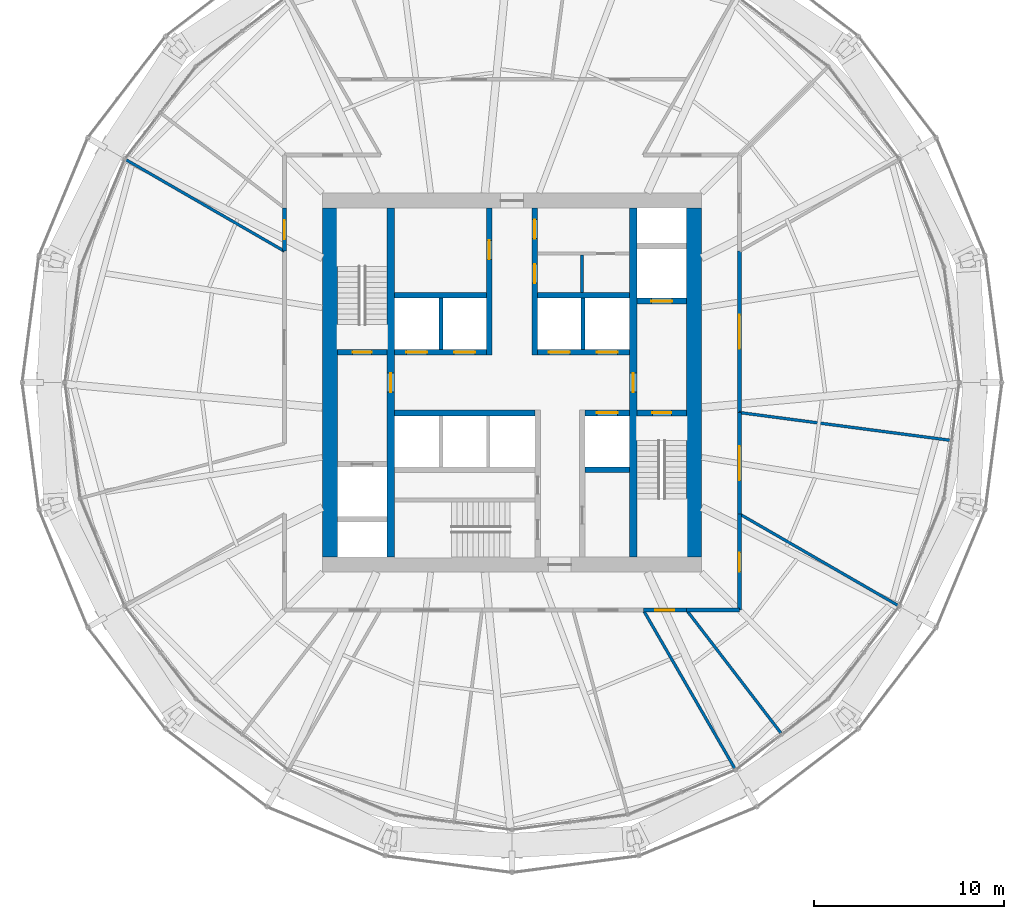
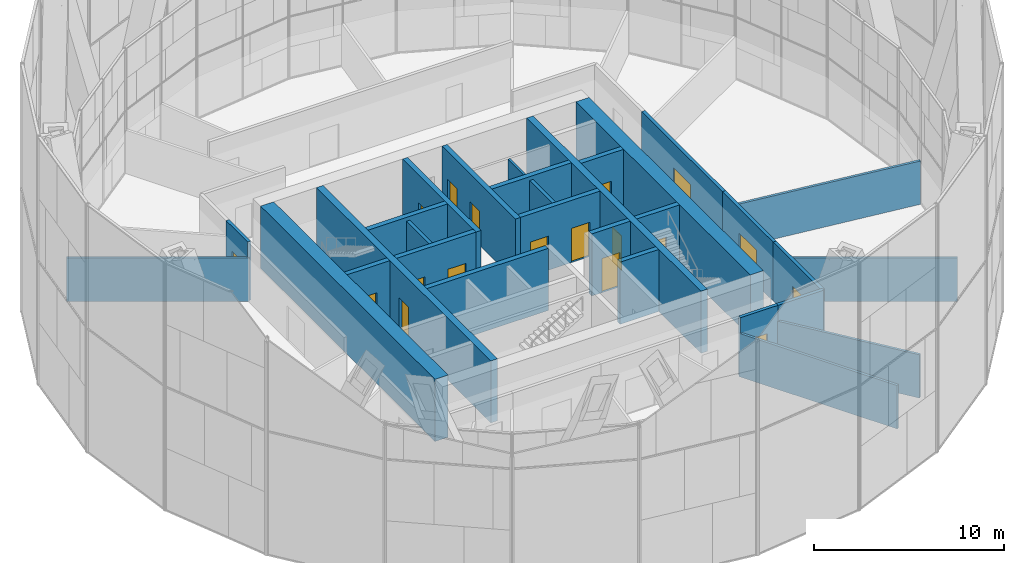
# One storey, part 20 of 22: 30 walls, 18 doors, 18 openings.
"""IFC4 building model written with IfcOpenShell, lengths in metres."""

from ifc_helpers import new_model, si_unit, direction, frame, frame_2d, origin, place, context, subcontext, project, spatial, rectangle, extrude, material, layer, layer_set, type_object, element, fill, save


model = new_model("IFC4")

# Units and contexts
model_context = context("Model", 3, precision=1e-05, world=origin(), true_north=direction((0.0, 1.0)))
body_context = subcontext(model_context, "Body", "Model", "MODEL_VIEW")
ifc_project = project(units=[si_unit("LENGTHUNIT", "METRE"), si_unit("AREAUNIT", "SQUARE_METRE"), si_unit("VOLUMEUNIT", "CUBIC_METRE"), si_unit("PLANEANGLEUNIT", "RADIAN"), si_unit("MASSUNIT", "GRAM", prefix="KILO")], contexts=[model_context])

# Site, building, storey
site_placement = place(None, origin())
site = spatial("IfcSite", under=ifc_project, at=site_placement, CompositionType="ELEMENT")
building_placement = place(site_placement, origin())
building = spatial("IfcBuilding", under=site, at=building_placement, Name="Golbaran Civic Tower", CompositionType="ELEMENT")
storey_placement = place(building_placement, frame((0.0, 0.0, 53.0)))
storey = spatial("IfcBuildingStorey", under=building, at=storey_placement, Name="L12", CompositionType="ELEMENT", Elevation=53.0)

# Wall
ifc_material_1 = material(Name="Concrete block", Category="concrete")
ifc_layer_1 = layer(ifc_material_1, 0.14990234375, Name="Concrete block")
ifc_layer_set_1 = layer_set([ifc_layer_1], Name="Concrete block")
wall_type_1 = type_object("IfcWallType", Name="BLOCKWORK PARTITION 150", PredefinedType="PARTITIONING", material=ifc_layer_set_1)
wall_1_placement = place(storey_placement, frame((3.699951171875, 4.75, 0.0), z_axis=(0.0, 0.0, 1.0), x_axis=(0.0, 1.0, 0.0)))
element("IfcWall", 1, at=wall_1_placement, inside=storey, type_object=wall_type_1, Name="Toilet block partition TN2 L12", PredefinedType="PARTITIONING", context=body_context, shape_type="SweptSolid", body=[
    extrude(rectangle(XDim=1.97509765625, YDim=0.14990234375, at=frame_2d((0.987548828125, 0.0))), origin(), (0.0, 0.0, 1.0), 3.75),
])

# Wall, opening, door
ifc_material_2 = material(Name="Concrete C50/60", Category="concrete")
ifc_layer_2 = layer(ifc_material_2, 0.39990234375, Name="Concrete C50/60")
ifc_layer_set_2 = layer_set([ifc_layer_2], Name="Concrete C50/60")
wall_type_2 = type_object("IfcWallType", Name="CORE WALL CONCRETE 400", PredefinedType="SOLIDWALL", material=ifc_layer_set_2)
wall_2_placement = place(storey_placement, frame((-6.39990234375, -9.199951171875, 0.0), z_axis=(0.0, 0.0, 1.0), x_axis=(0.0, 1.0, 0.0)))
wall_2 = element("IfcWall", 2, at=wall_2_placement, inside=storey, type_object=wall_type_2, Name="Core wall IW L12", PredefinedType="SOLIDWALL", context=body_context, shape_type="SweptSolid", body=[
    extrude(rectangle(XDim=18.39990234375, YDim=0.39990234375, at=frame_2d((9.199951171875, 0.0))), origin(), (0.0, 0.0, 1.0), 4.0),
])
opening_1_placement = place(wall_2_placement, frame((8.699951171875, 0.0, 0.0)))
opening_1 = element("IfcOpeningElement", 3, at=opening_1_placement, cuts=wall_2, Name="Opening L12.FL1", PredefinedType="OPENING", context=body_context, shape_type="SweptSolid", body=[
    extrude(rectangle(XDim=1.0, YDim=2.199951171875, at=frame_2d((0.5, 1.10009765625))), frame((0.0, 0.2099609375, 0.0), z_axis=(0.0, -1.0, 0.0), x_axis=(1.0, 0.0, 0.0)), (0.0, 0.0, 1.0), 0.419921875),
])
ifc_material_3 = material(Name="Timber door set in steel frame", Category="steel")
door_type_1 = type_object("IfcDoorType", Name="STAIR DOOR 1000x2200", OperationType="SINGLE_SWING_LEFT", PredefinedType="DOOR", material=ifc_material_3)
door_1_placement = place(opening_1_placement, origin())
door_1 = element("IfcDoor", 4, at=door_1_placement, inside=storey, type_object=door_type_1, Name="Fire-fighting lobby FL1 door", OperationType="SINGLE_SWING_LEFT", OverallHeight=2.199951171875, OverallWidth=1.0, PredefinedType="DOOR", context=body_context, shape_type="SweptSolid", body=[
    extrude(rectangle(XDim=1.0, YDim=2.199951171875, at=frame_2d((0.5, 1.10009765625))), frame((0.0, 0.02490234375, 0.0), z_axis=(0.0, -1.0, 0.0), x_axis=(1.0, 0.0, 0.0)), (0.0, 0.0, 1.0), 0.050048828125),
])
fill(opening_1, door_1)

wall_3_placement = place(storey_placement, frame((6.39990234375, 9.199951171875, 0.0), z_axis=(0.0, 0.0, 1.0), x_axis=(0.0, -1.0, 0.0)))
wall_3 = element("IfcWall", 5, at=wall_3_placement, inside=storey, type_object=wall_type_2, Name="Core wall IE L12", PredefinedType="SOLIDWALL", context=body_context, shape_type="SweptSolid", body=[
    extrude(rectangle(XDim=18.39990234375, YDim=0.39990234375, at=frame_2d((9.199951171875, 0.0))), origin(), (0.0, 0.0, 1.0), 4.0),
])
opening_2_placement = place(wall_3_placement, frame((8.699951171875, 0.0, 0.0)))
opening_2 = element("IfcOpeningElement", 6, at=opening_2_placement, cuts=wall_3, Name="Opening L12.FL2", PredefinedType="OPENING", context=body_context, shape_type="SweptSolid", body=[
    extrude(rectangle(XDim=1.0, YDim=2.199951171875, at=frame_2d((0.5, 1.10009765625))), frame((0.0, 0.2099609375, 0.0), z_axis=(0.0, -1.0, 0.0), x_axis=(1.0, 0.0, 0.0)), (0.0, 0.0, 1.0), 0.419921875),
])
door_2_placement = place(opening_2_placement, origin())
door_2 = element("IfcDoor", 7, at=door_2_placement, inside=storey, type_object=door_type_1, Name="Fire-fighting lobby FL2 door", OperationType="SINGLE_SWING_RIGHT", OverallHeight=2.199951171875, OverallWidth=1.0, PredefinedType="DOOR", context=body_context, shape_type="SweptSolid", body=[
    extrude(rectangle(XDim=1.0, YDim=2.199951171875, at=frame_2d((0.5, 1.10009765625))), frame((0.0, 0.02490234375, 0.0), z_axis=(0.0, -1.0, 0.0), x_axis=(1.0, 0.0, 0.0)), (0.0, 0.0, 1.0), 0.050048828125),
])
fill(opening_2, door_2)

# Walls
ifc_layer_3 = layer(ifc_material_2, 0.800048828125, Name="Concrete C50/60")
ifc_layer_set_3 = layer_set([ifc_layer_3], Name="Concrete C50/60")
wall_type_3 = type_object("IfcWallType", Name="CORE WALL CONCRETE 800", PredefinedType="SOLIDWALL", material=ifc_layer_set_3)
for number, where, z_axis, x_axis, name in (
    (8, (9.60009765625, -9.199951171875, 0.0), (0.0, 0.0, 1.0), (0.0, 1.0, 0.0), "Core wall CE L12"),
    (9, (-9.60009765625, 9.199951171875, 0.0), (0.0, 0.0, 1.0), (0.0, -1.0, 0.0), "Core wall CW L12"),
):
    element("IfcWall", number, at=place(storey_placement, frame(where, z_axis=z_axis, x_axis=x_axis)), inside=storey, type_object=wall_type_3, Name=name, PredefinedType="SOLIDWALL", context=body_context, shape_type="SweptSolid", body=[
        extrude(rectangle(XDim=18.39990234375, YDim=0.800048828125, at=frame_2d((9.199951171875, 0.0))), origin(), (0.0, 0.0, 1.0), 4.0),
    ])

# Wall, opening, door
ifc_material_4 = material(Name="Gypsum board on steel studs, fire-rated", Category="steel")
ifc_layer_4 = layer(ifc_material_4, 0.199951171875, Name="Gypsum board on steel studs, fire-rated")
ifc_layer_set_4 = layer_set([ifc_layer_4], Name="Gypsum board on steel studs, fire-rated")
wall_type_4 = type_object("IfcWallType", Name="CORRIDOR WALL 200", PredefinedType="PARTITIONING", material=ifc_layer_set_4)
wall_4_placement = place(storey_placement, frame((12.0, -6.92822265625, 0.0), z_axis=(0.0, 0.0, 1.0), x_axis=(0.0, 1.0, 0.0)))
wall_4 = element("IfcWall", 10, at=wall_4_placement, inside=storey, type_object=wall_type_4, Name="Corridor wall L12", PredefinedType="PARTITIONING", context=body_context, shape_type="SweptSolid", body=[
    extrude(rectangle(XDim=5.348388671875, YDim=0.199951171875, at=frame_2d((2.67431640625, 0.0))), origin(), (0.0, 0.0, 1.0), 3.800048828125),
])
opening_3_placement = place(wall_4_placement, frame((1.774169921875, 0.0, 0.0)))
opening_3 = element("IfcOpeningElement", 11, at=opening_3_placement, cuts=wall_4, Name="Opening L12.04", PredefinedType="OPENING", context=body_context, shape_type="SweptSolid", body=[
    extrude(rectangle(XDim=1.800048828125, YDim=2.199951171875, at=frame_2d((0.89990234375, 1.10009765625))), frame((0.0, 0.10986328125, 0.0), z_axis=(0.0, -1.0, 0.0), x_axis=(1.0, 0.0, 0.0)), (0.0, 0.0, 1.0), 0.219970703125),
])
door_type_2 = type_object("IfcDoorType", Name="OFFICE DOUBLE DOOR 1800x2200", OperationType="DOUBLE_DOOR_SINGLE_SWING", PredefinedType="DOOR", material=ifc_material_3)
door_3_placement = place(opening_3_placement, origin())
door_3 = element("IfcDoor", 12, at=door_3_placement, inside=storey, type_object=door_type_2, Name="Open Office door L12", OperationType="DOUBLE_DOOR_SINGLE_SWING", OverallHeight=2.199951171875, OverallWidth=1.800048828125, PredefinedType="DOOR", context=body_context, shape_type="SweptSolid", body=[
    extrude(rectangle(XDim=1.800048828125, YDim=2.199951171875, at=frame_2d((0.89990234375, 1.10009765625))), frame((0.0, 0.02490234375, 0.0), z_axis=(0.0, -1.0, 0.0), x_axis=(1.0, 0.0, 0.0)), (0.0, 0.0, 1.0), 0.050048828125),
])
fill(opening_3, door_3)

wall_5_placement = place(storey_placement, frame((12.0, -1.579833984375, 0.0), z_axis=(0.0, 0.0, 1.0), x_axis=(0.0, 1.0, 0.0)))
wall_5 = element("IfcWall", 13, at=wall_5_placement, inside=storey, type_object=wall_type_4, Name="Corridor wall L12", PredefinedType="PARTITIONING", context=body_context, shape_type="SweptSolid", body=[
    extrude(rectangle(XDim=8.508056640625, YDim=0.199951171875, at=frame_2d((4.25390625, 0.0))), origin(), (0.0, 0.0, 1.0), 3.800048828125),
])
opening_4_placement = place(wall_5_placement, frame((3.35400390625, 0.0, 0.0)))
opening_4 = element("IfcOpeningElement", 14, at=opening_4_placement, cuts=wall_5, Name="Opening L12.05", PredefinedType="OPENING", context=body_context, shape_type="SweptSolid", body=[
    extrude(rectangle(XDim=1.800048828125, YDim=2.199951171875, at=frame_2d((0.89990234375, 1.10009765625))), frame((0.0, 0.10986328125, 0.0), z_axis=(0.0, -1.0, 0.0), x_axis=(1.0, 0.0, 0.0)), (0.0, 0.0, 1.0), 0.219970703125),
])
door_4_placement = place(opening_4_placement, origin())
door_4 = element("IfcDoor", 15, at=door_4_placement, inside=storey, type_object=door_type_2, Name="Open Office door L12", OperationType="DOUBLE_DOOR_SINGLE_SWING", OverallHeight=2.199951171875, OverallWidth=1.800048828125, PredefinedType="DOOR", context=body_context, shape_type="SweptSolid", body=[
    extrude(rectangle(XDim=1.800048828125, YDim=2.199951171875, at=frame_2d((0.89990234375, 1.10009765625))), frame((0.0, 0.02490234375, 0.0), z_axis=(0.0, -1.0, 0.0), x_axis=(1.0, 0.0, 0.0)), (0.0, 0.0, 1.0), 0.050048828125),
])
fill(opening_4, door_4)

wall_6_placement = place(storey_placement, frame((-12.0, 9.2080078125, 0.0), z_axis=(0.0, 0.0, 1.0), x_axis=(0.0, -1.0, 0.0)))
wall_6 = element("IfcWall", 16, at=wall_6_placement, inside=storey, type_object=wall_type_4, Name="Corridor wall L12", PredefinedType="PARTITIONING", context=body_context, shape_type="SweptSolid", body=[
    extrude(rectangle(XDim=2.27978515625, YDim=0.199951171875, at=frame_2d((1.139892578125, 0.0))), origin(), (0.0, 0.0, 1.0), 3.800048828125),
])
opening_5_placement = place(wall_6_placement, frame((0.639892578125, 0.0, 0.0)))
opening_5 = element("IfcOpeningElement", 17, at=opening_5_placement, cuts=wall_6, Name="Opening L12.09", PredefinedType="OPENING", context=body_context, shape_type="SweptSolid", body=[
    extrude(rectangle(XDim=1.0, YDim=2.199951171875, at=frame_2d((0.5, 1.10009765625))), frame((0.0, 0.10986328125, 0.0), z_axis=(0.0, -1.0, 0.0), x_axis=(1.0, 0.0, 0.0)), (0.0, 0.0, 1.0), 0.219970703125),
])
door_type_3 = type_object("IfcDoorType", Name="OFFICE DOOR 1000x2200", OperationType="SINGLE_SWING_LEFT", PredefinedType="DOOR", material=ifc_material_3)
door_5_placement = place(opening_5_placement, origin())
door_5 = element("IfcDoor", 18, at=door_5_placement, inside=storey, type_object=door_type_3, Name="Store door L12", OperationType="SINGLE_SWING_RIGHT", OverallHeight=2.199951171875, OverallWidth=1.0, PredefinedType="DOOR", context=body_context, shape_type="SweptSolid", body=[
    extrude(rectangle(XDim=1.0, YDim=2.199951171875, at=frame_2d((0.5, 1.10009765625))), frame((0.0, 0.02490234375, 0.0), z_axis=(0.0, -1.0, 0.0), x_axis=(1.0, 0.0, 0.0)), (0.0, 0.0, 1.0), 0.050048828125),
])
fill(opening_5, door_5)

wall_7_placement = place(storey_placement, frame((6.92822265625, -12.0, 0.0), z_axis=(0.0, 0.0, 1.0), x_axis=(1.0, 0.0, 0.0)))
wall_7 = element("IfcWall", 19, at=wall_7_placement, inside=storey, type_object=wall_type_4, Name="Corridor wall L12", PredefinedType="PARTITIONING", context=body_context, shape_type="SweptSolid", body=[
    extrude(rectangle(XDim=2.27978515625, YDim=0.199951171875, at=frame_2d((1.139892578125, 0.0))), origin(), (0.0, 0.0, 1.0), 3.800048828125),
])
opening_6_placement = place(wall_7_placement, frame((0.639892578125, 0.0, 0.0)))
opening_6 = element("IfcOpeningElement", 20, at=opening_6_placement, cuts=wall_7, Name="Opening L12.16", PredefinedType="OPENING", context=body_context, shape_type="SweptSolid", body=[
    extrude(rectangle(XDim=1.0, YDim=2.199951171875, at=frame_2d((0.5, 1.10009765625))), frame((0.0, 0.10986328125, 0.0), z_axis=(0.0, -1.0, 0.0), x_axis=(1.0, 0.0, 0.0)), (0.0, 0.0, 1.0), 0.219970703125),
])
door_6_placement = place(opening_6_placement, origin())
door_6 = element("IfcDoor", 21, at=door_6_placement, inside=storey, type_object=door_type_3, Name="Interview Room door L12", OperationType="SINGLE_SWING_LEFT", OverallHeight=2.199951171875, OverallWidth=1.0, PredefinedType="DOOR", context=body_context, shape_type="SweptSolid", body=[
    extrude(rectangle(XDim=1.0, YDim=2.199951171875, at=frame_2d((0.5, 1.10009765625))), frame((0.0, 0.02490234375, 0.0), z_axis=(0.0, -1.0, 0.0), x_axis=(1.0, 0.0, 0.0)), (0.0, 0.0, 1.0), 0.050048828125),
])
fill(opening_6, door_6)

# Wall
wall_8_placement = place(storey_placement, frame((9.2080078125, -12.0, 0.0), z_axis=(0.0, 0.0, 1.0), x_axis=(1.0, 0.0, 0.0)))
element("IfcWall", 22, at=wall_8_placement, inside=storey, type_object=wall_type_4, Name="Corridor wall L12", PredefinedType="PARTITIONING", context=body_context, shape_type="SweptSolid", body=[
    extrude(rectangle(XDim=2.7919921875, YDim=0.199951171875, at=frame_2d((1.39599609375, 0.0))), origin(), (0.0, 0.0, 1.0), 3.800048828125),
])

# Wall, opening, door
wall_9_placement = place(storey_placement, frame((12.0, -12.0, 0.0), z_axis=(0.0, 0.0, 1.0), x_axis=(0.0, 1.0, 0.0)))
wall_9 = element("IfcWall", 23, at=wall_9_placement, inside=storey, type_object=wall_type_4, Name="Corridor wall L12", PredefinedType="PARTITIONING", context=body_context, shape_type="SweptSolid", body=[
    extrude(rectangle(XDim=5.07177734375, YDim=0.199951171875, at=frame_2d((2.535888671875, 0.0))), origin(), (0.0, 0.0, 1.0), 3.800048828125),
])
opening_7_placement = place(wall_9_placement, frame((2.035888671875, 0.0, 0.0)))
opening_7 = element("IfcOpeningElement", 24, at=opening_7_placement, cuts=wall_9, Name="Opening L12.17", PredefinedType="OPENING", context=body_context, shape_type="SweptSolid", body=[
    extrude(rectangle(XDim=1.0, YDim=2.199951171875, at=frame_2d((0.5, 1.10009765625))), frame((0.0, 0.10986328125, 0.0), z_axis=(0.0, -1.0, 0.0), x_axis=(1.0, 0.0, 0.0)), (0.0, 0.0, 1.0), 0.219970703125),
])
door_7_placement = place(opening_7_placement, origin())
door_7 = element("IfcDoor", 25, at=door_7_placement, inside=storey, type_object=door_type_3, Name="Print and Copy Room door L12", OperationType="SINGLE_SWING_LEFT", OverallHeight=2.199951171875, OverallWidth=1.0, PredefinedType="DOOR", context=body_context, shape_type="SweptSolid", body=[
    extrude(rectangle(XDim=1.0, YDim=2.199951171875, at=frame_2d((0.5, 1.10009765625))), frame((0.0, 0.02490234375, 0.0), z_axis=(0.0, -1.0, 0.0), x_axis=(1.0, 0.0, 0.0)), (0.0, 0.0, 1.0), 0.050048828125),
])
fill(opening_7, door_7)

# Walls
ifc_layer_5 = layer(ifc_material_1, 0.199951171875, Name="Concrete block")
ifc_layer_set_5 = layer_set([ifc_layer_5], Name="Concrete block")
wall_type_5 = type_object("IfcWallType", Name="LIFT SEPARATOR WALL 200", PredefinedType="SOLIDWALL", material=ifc_layer_set_5)
for number, where, z_axis, x_axis, name in (
    (26, (-3.75, 1.75, 0.0), (0.0, 0.0, 1.0), (0.0, 1.0, 0.0), "Core partition SNW L12"),
    (27, (3.75, 1.75, 0.0), (0.0, 0.0, 1.0), (0.0, 1.0, 0.0), "Core partition SNE L12"),
):
    element("IfcWall", number, at=place(storey_placement, frame(where, z_axis=z_axis, x_axis=x_axis)), inside=storey, type_object=wall_type_5, Name=name, PredefinedType="SOLIDWALL", context=body_context, shape_type="SweptSolid", body=[
        extrude(rectangle(XDim=2.699951171875, YDim=0.199951171875, at=frame_2d((1.35009765625, 0.0))), origin(), (0.0, 0.0, 1.0), 3.75),
    ])
ifc_material_5 = material(Name="Gypsum board on steel studs", Category="steel")
ifc_layer_6 = layer(ifc_material_5, 0.14990234375, Name="Gypsum board on steel studs")
ifc_layer_set_6 = layer_set([ifc_layer_6], Name="Gypsum board on steel studs")
wall_type_6 = type_object("IfcWallType", Name="OFFICE PARTITION 150", PredefinedType="PARTITIONING", material=ifc_layer_set_6)
wall_10_placement = place(storey_placement, frame((12.0, -6.92822265625, 0.0), z_axis=(0.0, 0.0, 1.0), x_axis=(0.866030350715, -0.499991431567, 0.0)))
element("IfcWall", 28, at=wall_10_placement, inside=storey, type_object=wall_type_6, Name="Partition 330 L12", PredefinedType="PARTITIONING", context=body_context, shape_type="SweptSolid", body=[
    extrude(rectangle(XDim=9.637939453125, YDim=0.14990234375, at=frame_2d((4.81884765625, 0.0))), origin(), (0.0, 0.0, 1.0), 2.7900390625),
])
wall_11_placement = place(storey_placement, frame((12.0, -1.579833984375, 0.0), z_axis=(0.0, 0.0, 1.0), x_axis=(0.991446050429, -0.130517160134, 0.0)))
element("IfcWall", 29, at=wall_11_placement, inside=storey, type_object=wall_type_6, Name="Partition 352.5 L12", PredefinedType="PARTITIONING", context=body_context, shape_type="SweptSolid", body=[
    extrude(rectangle(XDim=11.189697265625, YDim=0.14990234375, at=frame_2d((5.5947265625, 0.0))), origin(), (0.0, 0.0, 1.0), 2.7900390625),
])
for number, where, z_axis, x_axis, name in (
    (30, (-12.0, 6.92822265625, 0.0), (0.0, 0.0, 1.0), (-0.866030350715, 0.499991431567, 0.0), "Partition 150 L12"),
    (31, (6.92822265625, -12.0, 0.0), (0.0, 0.0, 1.0), (0.499991431567, -0.866030350715, 0.0), "Partition 300 L12"),
):
    element("IfcWall", number, at=place(storey_placement, frame(where, z_axis=z_axis, x_axis=x_axis)), inside=storey, type_object=wall_type_6, Name=name, PredefinedType="PARTITIONING", context=body_context, shape_type="SweptSolid", body=[
        extrude(rectangle(XDim=9.637939453125, YDim=0.14990234375, at=frame_2d((4.81884765625, 0.0))), origin(), (0.0, 0.0, 1.0), 2.7900390625),
    ])
wall_12_placement = place(storey_placement, frame((9.2080078125, -12.0, 0.0), z_axis=(0.0, 0.0, 1.0), x_axis=(0.608749658954, -0.793362371633, 0.0)))
element("IfcWall", 32, at=wall_12_placement, inside=storey, type_object=wall_type_6, Name="Partition 307.5 L12", PredefinedType="PARTITIONING", context=body_context, shape_type="SweptSolid", body=[
    extrude(rectangle(XDim=8.16748046875, YDim=0.14990234375, at=frame_2d((4.083740234375, 0.0))), origin(), (0.0, 0.0, 1.0), 2.7900390625),
])

# Wall, openings, doors
ifc_layer_7 = layer(ifc_material_2, 0.300048828125, Name="Concrete C50/60")
ifc_layer_set_7 = layer_set([ifc_layer_7], Name="Concrete C50/60")
wall_type_7 = type_object("IfcWallType", Name="SHAFT WALL CONCRETE 300", PredefinedType="SOLIDWALL", material=ifc_layer_set_7)
wall_13_placement = place(storey_placement, frame((-6.199951171875, 1.60009765625, 0.0), z_axis=(0.0, 0.0, 1.0), x_axis=(1.0, 0.0, 0.0)))
wall_13 = element("IfcWall", 33, at=wall_13_placement, inside=storey, type_object=wall_type_7, Name="Core wall FNW L12", PredefinedType="SOLIDWALL", context=body_context, shape_type="SweptSolid", body=[
    extrude(rectangle(XDim=4.849853515625, YDim=0.300048828125, at=frame_2d((2.4248046875, 0.0))), origin(), (0.0, 0.0, 1.0), 4.0),
])
opening_8_placement = place(wall_13_placement, frame((0.625, 0.0, 0.0)))
opening_8 = element("IfcOpeningElement", 34, at=opening_8_placement, cuts=wall_13, Name="Opening L12.LD-Z1L", PredefinedType="OPENING", context=body_context, shape_type="SweptSolid", body=[
    extrude(rectangle(XDim=1.10009765625, YDim=2.199951171875, at=frame_2d((0.550048828125, 1.10009765625))), frame((0.0, 0.159912109375, 0.0), z_axis=(0.0, -1.0, 0.0), x_axis=(1.0, 0.0, 0.0)), (0.0, 0.0, 1.0), 0.320068359375),
])
opening_9_placement = place(wall_13_placement, frame((3.14990234375, 0.0, 0.0)))
opening_9 = element("IfcOpeningElement", 35, at=opening_9_placement, cuts=wall_13, Name="Opening L12.LD-Z2L", PredefinedType="OPENING", context=body_context, shape_type="SweptSolid", body=[
    extrude(rectangle(XDim=1.10009765625, YDim=2.199951171875, at=frame_2d((0.550048828125, 1.10009765625))), frame((0.0, 0.159912109375, 0.0), z_axis=(0.0, -1.0, 0.0), x_axis=(1.0, 0.0, 0.0)), (0.0, 0.0, 1.0), 0.320068359375),
])
ifc_material_6 = material(Name="Stainless steel", Category="steel")
door_type_4 = type_object("IfcDoorType", Name="LIFT LANDING DOOR 1100x2200", OperationType="SLIDING_TO_LEFT", PredefinedType="DOOR", material=ifc_material_6)
door_8_placement = place(opening_8_placement, origin())
door_8 = element("IfcDoor", 36, at=door_8_placement, inside=storey, type_object=door_type_4, Name="Lift landing door Z1L", OperationType="SLIDING_TO_LEFT", OverallHeight=2.199951171875, OverallWidth=1.10009765625, PredefinedType="DOOR", context=body_context, shape_type="SweptSolid", body=[
    extrude(rectangle(XDim=1.10009765625, YDim=2.199951171875, at=frame_2d((0.550048828125, 1.10009765625))), frame((0.0, 0.02490234375, 0.0), z_axis=(0.0, -1.0, 0.0), x_axis=(1.0, 0.0, 0.0)), (0.0, 0.0, 1.0), 0.050048828125),
])
fill(opening_8, door_8)
door_9_placement = place(opening_9_placement, origin())
door_9 = element("IfcDoor", 37, at=door_9_placement, inside=storey, type_object=door_type_4, Name="Lift landing door Z2L", OperationType="SLIDING_TO_LEFT", OverallHeight=2.199951171875, OverallWidth=1.10009765625, PredefinedType="DOOR", context=body_context, shape_type="SweptSolid", body=[
    extrude(rectangle(XDim=1.10009765625, YDim=2.199951171875, at=frame_2d((0.550048828125, 1.10009765625))), frame((0.0, 0.02490234375, 0.0), z_axis=(0.0, -1.0, 0.0), x_axis=(1.0, 0.0, 0.0)), (0.0, 0.0, 1.0), 0.050048828125),
])
fill(opening_9, door_9)

wall_14_placement = place(storey_placement, frame((1.35009765625, 1.60009765625, 0.0), z_axis=(0.0, 0.0, 1.0), x_axis=(1.0, 0.0, 0.0)))
wall_14 = element("IfcWall", 38, at=wall_14_placement, inside=storey, type_object=wall_type_7, Name="Core wall FNE L12", PredefinedType="SOLIDWALL", context=body_context, shape_type="SweptSolid", body=[
    extrude(rectangle(XDim=4.849853515625, YDim=0.300048828125, at=frame_2d((2.4248046875, 0.0))), origin(), (0.0, 0.0, 1.0), 4.0),
])
opening_10_placement = place(wall_14_placement, frame((0.60009765625, 0.0, 0.0)))
opening_10 = element("IfcOpeningElement", 39, at=opening_10_placement, cuts=wall_14, Name="Opening L12.LD-Z3L", PredefinedType="OPENING", context=body_context, shape_type="SweptSolid", body=[
    extrude(rectangle(XDim=1.10009765625, YDim=2.199951171875, at=frame_2d((0.550048828125, 1.10009765625))), frame((0.0, 0.159912109375, 0.0), z_axis=(0.0, -1.0, 0.0), x_axis=(1.0, 0.0, 0.0)), (0.0, 0.0, 1.0), 0.320068359375),
])
opening_11_placement = place(wall_14_placement, frame((3.125, 0.0, 0.0)))
opening_11 = element("IfcOpeningElement", 40, at=opening_11_placement, cuts=wall_14, Name="Opening L12.LD-Z4L", PredefinedType="OPENING", context=body_context, shape_type="SweptSolid", body=[
    extrude(rectangle(XDim=1.10009765625, YDim=2.199951171875, at=frame_2d((0.550048828125, 1.10009765625))), frame((0.0, 0.159912109375, 0.0), z_axis=(0.0, -1.0, 0.0), x_axis=(1.0, 0.0, 0.0)), (0.0, 0.0, 1.0), 0.320068359375),
])
door_10_placement = place(opening_10_placement, origin())
door_10 = element("IfcDoor", 41, at=door_10_placement, inside=storey, type_object=door_type_4, Name="Lift landing door Z3L", OperationType="SLIDING_TO_LEFT", OverallHeight=2.199951171875, OverallWidth=1.10009765625, PredefinedType="DOOR", context=body_context, shape_type="SweptSolid", body=[
    extrude(rectangle(XDim=1.10009765625, YDim=2.199951171875, at=frame_2d((0.550048828125, 1.10009765625))), frame((0.0, 0.02490234375, 0.0), z_axis=(0.0, -1.0, 0.0), x_axis=(1.0, 0.0, 0.0)), (0.0, 0.0, 1.0), 0.050048828125),
])
fill(opening_10, door_10)
door_11_placement = place(opening_11_placement, origin())
door_11 = element("IfcDoor", 42, at=door_11_placement, inside=storey, type_object=door_type_4, Name="Lift landing door Z4L", OperationType="SLIDING_TO_LEFT", OverallHeight=2.199951171875, OverallWidth=1.10009765625, PredefinedType="DOOR", context=body_context, shape_type="SweptSolid", body=[
    extrude(rectangle(XDim=1.10009765625, YDim=2.199951171875, at=frame_2d((0.550048828125, 1.10009765625))), frame((0.0, 0.02490234375, 0.0), z_axis=(0.0, -1.0, 0.0), x_axis=(1.0, 0.0, 0.0)), (0.0, 0.0, 1.0), 0.050048828125),
])
fill(opening_11, door_11)

# Walls
for number, where, z_axis, x_axis, name in (
    (43, (-6.199951171875, 4.60009765625, 0.0), (0.0, 0.0, 1.0), (1.0, 0.0, 0.0), "Core wall BNW L12"),
    (44, (1.35009765625, 4.60009765625, 0.0), (0.0, 0.0, 1.0), (1.0, 0.0, 0.0), "Core wall BNE L12"),
):
    element("IfcWall", number, at=place(storey_placement, frame(where, z_axis=z_axis, x_axis=x_axis)), inside=storey, type_object=wall_type_7, Name=name, PredefinedType="SOLIDWALL", context=body_context, shape_type="SweptSolid", body=[
        extrude(rectangle(XDim=4.849853515625, YDim=0.300048828125, at=frame_2d((2.4248046875, 0.0))), origin(), (0.0, 0.0, 1.0), 4.0),
    ])

# Wall, opening, door
wall_15_placement = place(storey_placement, frame((-1.199951171875, 1.449951171875, 0.0), z_axis=(0.0, 0.0, 1.0), x_axis=(0.0, 1.0, 0.0)))
wall_15 = element("IfcWall", 45, at=wall_15_placement, inside=storey, type_object=wall_type_7, Name="Core wall PNW L12", PredefinedType="SOLIDWALL", context=body_context, shape_type="SweptSolid", body=[
    extrude(rectangle(XDim=7.75, YDim=0.300048828125, at=frame_2d((3.875, 0.0))), origin(), (0.0, 0.0, 1.0), 4.0),
])
opening_12_placement = place(wall_15_placement, frame((5.050048828125, 0.0, 0.0)))
opening_12 = element("IfcOpeningElement", 46, at=opening_12_placement, cuts=wall_15, Name="Opening L12.WCM", PredefinedType="OPENING", context=body_context, shape_type="SweptSolid", body=[
    extrude(rectangle(XDim=1.0, YDim=2.199951171875, at=frame_2d((0.5, 1.10009765625))), frame((0.0, 0.159912109375, 0.0), z_axis=(0.0, -1.0, 0.0), x_axis=(1.0, 0.0, 0.0)), (0.0, 0.0, 1.0), 0.320068359375),
])
door_type_5 = type_object("IfcDoorType", Name="TOILET DOOR 1000x2200", OperationType="SINGLE_SWING_LEFT", PredefinedType="DOOR", material=ifc_material_3)
door_12_placement = place(opening_12_placement, origin())
door_12 = element("IfcDoor", 47, at=door_12_placement, inside=storey, type_object=door_type_5, Name="North-west toilet block door", OperationType="SINGLE_SWING_RIGHT", OverallHeight=2.199951171875, OverallWidth=1.0, PredefinedType="DOOR", context=body_context, shape_type="SweptSolid", body=[
    extrude(rectangle(XDim=1.0, YDim=2.199951171875, at=frame_2d((0.5, 1.10009765625))), frame((0.0, 0.02490234375, 0.0), z_axis=(0.0, -1.0, 0.0), x_axis=(1.0, 0.0, 0.0)), (0.0, 0.0, 1.0), 0.050048828125),
])
fill(opening_12, door_12)

# Wall, openings, doors
wall_16_placement = place(storey_placement, frame((1.199951171875, 1.449951171875, 0.0), z_axis=(0.0, 0.0, 1.0), x_axis=(0.0, 1.0, 0.0)))
wall_16 = element("IfcWall", 48, at=wall_16_placement, inside=storey, type_object=wall_type_7, Name="Core wall PNE L12", PredefinedType="SOLIDWALL", context=body_context, shape_type="SweptSolid", body=[
    extrude(rectangle(XDim=7.75, YDim=0.300048828125, at=frame_2d((3.875, 0.0))), origin(), (0.0, 0.0, 1.0), 4.0),
])
opening_13_placement = place(wall_16_placement, frame((3.800048828125, 0.0, 0.0)))
opening_13 = element("IfcOpeningElement", 49, at=opening_13_placement, cuts=wall_16, Name="Opening L12.WCA", PredefinedType="OPENING", context=body_context, shape_type="SweptSolid", body=[
    extrude(rectangle(XDim=1.0, YDim=2.199951171875, at=frame_2d((0.5, 1.10009765625))), frame((0.0, 0.159912109375, 0.0), z_axis=(0.0, -1.0, 0.0), x_axis=(1.0, 0.0, 0.0)), (0.0, 0.0, 1.0), 0.320068359375),
])
opening_14_placement = place(wall_16_placement, frame((6.14990234375, 0.0, 0.0)))
opening_14 = element("IfcOpeningElement", 50, at=opening_14_placement, cuts=wall_16, Name="Opening L12.WCF", PredefinedType="OPENING", context=body_context, shape_type="SweptSolid", body=[
    extrude(rectangle(XDim=1.0, YDim=2.199951171875, at=frame_2d((0.5, 1.10009765625))), frame((0.0, 0.159912109375, 0.0), z_axis=(0.0, -1.0, 0.0), x_axis=(1.0, 0.0, 0.0)), (0.0, 0.0, 1.0), 0.320068359375),
])
door_13_placement = place(opening_13_placement, origin())
door_13 = element("IfcDoor", 51, at=door_13_placement, inside=storey, type_object=door_type_5, Name="Accessible WC door", OperationType="SINGLE_SWING_RIGHT", OverallHeight=2.199951171875, OverallWidth=1.0, PredefinedType="DOOR", context=body_context, shape_type="SweptSolid", body=[
    extrude(rectangle(XDim=1.0, YDim=2.199951171875, at=frame_2d((0.5, 1.10009765625))), frame((0.0, 0.02490234375, 0.0), z_axis=(0.0, -1.0, 0.0), x_axis=(1.0, 0.0, 0.0)), (0.0, 0.0, 1.0), 0.050048828125),
])
fill(opening_13, door_13)
door_14_placement = place(opening_14_placement, origin())
door_14 = element("IfcDoor", 52, at=door_14_placement, inside=storey, type_object=door_type_5, Name="North-east toilet block door", OperationType="SINGLE_SWING_RIGHT", OverallHeight=2.199951171875, OverallWidth=1.0, PredefinedType="DOOR", context=body_context, shape_type="SweptSolid", body=[
    extrude(rectangle(XDim=1.0, YDim=2.199951171875, at=frame_2d((0.5, 1.10009765625))), frame((0.0, 0.02490234375, 0.0), z_axis=(0.0, -1.0, 0.0), x_axis=(1.0, 0.0, 0.0)), (0.0, 0.0, 1.0), 0.050048828125),
])
fill(opening_14, door_14)

# Wall
wall_17_placement = place(storey_placement, frame((-6.199951171875, -1.60009765625, 0.0), z_axis=(0.0, 0.0, 1.0), x_axis=(1.0, 0.0, 0.0)))
element("IfcWall", 53, at=wall_17_placement, inside=storey, type_object=wall_type_7, Name="Core wall FSW L12", PredefinedType="SOLIDWALL", context=body_context, shape_type="SweptSolid", body=[
    extrude(rectangle(XDim=7.39990234375, YDim=0.300048828125, at=frame_2d((3.699951171875, 0.0))), origin(), (0.0, 0.0, 1.0), 4.0),
])

# Wall, opening, door
wall_18_placement = place(storey_placement, frame((3.85009765625, -1.60009765625, 0.0), z_axis=(0.0, 0.0, 1.0), x_axis=(1.0, 0.0, 0.0)))
wall_18 = element("IfcWall", 54, at=wall_18_placement, inside=storey, type_object=wall_type_7, Name="Core wall FSE L12", PredefinedType="SOLIDWALL", context=body_context, shape_type="SweptSolid", body=[
    extrude(rectangle(XDim=2.349853515625, YDim=0.300048828125, at=frame_2d((1.1748046875, 0.0))), origin(), (0.0, 0.0, 1.0), 4.0),
])
opening_15_placement = place(wall_18_placement, frame((0.625, 0.0, 0.0)))
opening_15 = element("IfcOpeningElement", 55, at=opening_15_placement, cuts=wall_18, Name="Opening L12.LD-V1", PredefinedType="OPENING", context=body_context, shape_type="SweptSolid", body=[
    extrude(rectangle(XDim=1.10009765625, YDim=2.199951171875, at=frame_2d((0.550048828125, 1.10009765625))), frame((0.0, 0.159912109375, 0.0), z_axis=(0.0, -1.0, 0.0), x_axis=(1.0, 0.0, 0.0)), (0.0, 0.0, 1.0), 0.320068359375),
])
door_15_placement = place(opening_15_placement, origin())
door_15 = element("IfcDoor", 56, at=door_15_placement, inside=storey, type_object=door_type_4, Name="Lift landing door V1", OperationType="SLIDING_TO_LEFT", OverallHeight=2.199951171875, OverallWidth=1.10009765625, PredefinedType="DOOR", context=body_context, shape_type="SweptSolid", body=[
    extrude(rectangle(XDim=1.10009765625, YDim=2.199951171875, at=frame_2d((0.550048828125, 1.10009765625))), frame((0.0, 0.02490234375, 0.0), z_axis=(0.0, -1.0, 0.0), x_axis=(1.0, 0.0, 0.0)), (0.0, 0.0, 1.0), 0.050048828125),
])
fill(opening_15, door_15)

# Wall
wall_19_placement = place(storey_placement, frame((3.85009765625, -4.60009765625, 0.0), z_axis=(0.0, 0.0, 1.0), x_axis=(1.0, 0.0, 0.0)))
element("IfcWall", 57, at=wall_19_placement, inside=storey, type_object=wall_type_7, Name="Core wall BSE L12", PredefinedType="SOLIDWALL", context=body_context, shape_type="SweptSolid", body=[
    extrude(rectangle(XDim=2.349853515625, YDim=0.300048828125, at=frame_2d((1.1748046875, 0.0))), origin(), (0.0, 0.0, 1.0), 4.0),
])

# Wall, opening, door
wall_20_placement = place(storey_placement, frame((-9.199951171875, 1.60009765625, 0.0), z_axis=(0.0, 0.0, 1.0), x_axis=(1.0, 0.0, 0.0)))
wall_20 = element("IfcWall", 58, at=wall_20_placement, inside=storey, type_object=wall_type_7, Name="Core wall XW1 L12", PredefinedType="SOLIDWALL", context=body_context, shape_type="SweptSolid", body=[
    extrude(rectangle(XDim=2.599853515625, YDim=0.300048828125, at=frame_2d((1.2998046875, 0.0))), origin(), (0.0, 0.0, 1.0), 4.0),
])
opening_16_placement = place(wall_20_placement, frame((0.800048828125, 0.0, 0.0)))
opening_16 = element("IfcOpeningElement", 59, at=opening_16_placement, cuts=wall_20, Name="Opening L12.S1", PredefinedType="OPENING", context=body_context, shape_type="SweptSolid", body=[
    extrude(rectangle(XDim=1.0, YDim=2.199951171875, at=frame_2d((0.5, 1.10009765625))), frame((0.0, 0.159912109375, 0.0), z_axis=(0.0, -1.0, 0.0), x_axis=(1.0, 0.0, 0.0)), (0.0, 0.0, 1.0), 0.320068359375),
])
door_16_placement = place(opening_16_placement, origin())
door_16 = element("IfcDoor", 60, at=door_16_placement, inside=storey, type_object=door_type_1, Name="Stair S1 door", OperationType="SINGLE_SWING_LEFT", OverallHeight=2.199951171875, OverallWidth=1.0, PredefinedType="DOOR", context=body_context, shape_type="SweptSolid", body=[
    extrude(rectangle(XDim=1.0, YDim=2.199951171875, at=frame_2d((0.5, 1.10009765625))), frame((0.0, 0.02490234375, 0.0), z_axis=(0.0, -1.0, 0.0), x_axis=(1.0, 0.0, 0.0)), (0.0, 0.0, 1.0), 0.050048828125),
])
fill(opening_16, door_16)

wall_21_placement = place(storey_placement, frame((6.60009765625, -1.60009765625, 0.0), z_axis=(0.0, 0.0, 1.0), x_axis=(1.0, 0.0, 0.0)))
wall_21 = element("IfcWall", 61, at=wall_21_placement, inside=storey, type_object=wall_type_7, Name="Core wall XE1 L12", PredefinedType="SOLIDWALL", context=body_context, shape_type="SweptSolid", body=[
    extrude(rectangle(XDim=2.599853515625, YDim=0.300048828125, at=frame_2d((1.2998046875, 0.0))), origin(), (0.0, 0.0, 1.0), 4.0),
])
opening_17_placement = place(wall_21_placement, frame((0.800048828125, 0.0, 0.0)))
opening_17 = element("IfcOpeningElement", 62, at=opening_17_placement, cuts=wall_21, Name="Opening L12.S2", PredefinedType="OPENING", context=body_context, shape_type="SweptSolid", body=[
    extrude(rectangle(XDim=1.0, YDim=2.199951171875, at=frame_2d((0.5, 1.10009765625))), frame((0.0, 0.159912109375, 0.0), z_axis=(0.0, -1.0, 0.0), x_axis=(1.0, 0.0, 0.0)), (0.0, 0.0, 1.0), 0.320068359375),
])
door_17_placement = place(opening_17_placement, origin())
door_17 = element("IfcDoor", 63, at=door_17_placement, inside=storey, type_object=door_type_1, Name="Stair S2 door", OperationType="SINGLE_SWING_LEFT", OverallHeight=2.199951171875, OverallWidth=1.0, PredefinedType="DOOR", context=body_context, shape_type="SweptSolid", body=[
    extrude(rectangle(XDim=1.0, YDim=2.199951171875, at=frame_2d((0.5, 1.10009765625))), frame((0.0, 0.02490234375, 0.0), z_axis=(0.0, -1.0, 0.0), x_axis=(1.0, 0.0, 0.0)), (0.0, 0.0, 1.0), 0.050048828125),
])
fill(opening_17, door_17)

wall_22_placement = place(storey_placement, frame((6.60009765625, 4.300048828125, 0.0), z_axis=(0.0, 0.0, 1.0), x_axis=(1.0, 0.0, 0.0)))
wall_22 = element("IfcWall", 64, at=wall_22_placement, inside=storey, type_object=wall_type_7, Name="Core wall XE2 L12", PredefinedType="SOLIDWALL", context=body_context, shape_type="SweptSolid", body=[
    extrude(rectangle(XDim=2.599853515625, YDim=0.300048828125, at=frame_2d((1.2998046875, 0.0))), origin(), (0.0, 0.0, 1.0), 4.0),
])
opening_18_placement = place(wall_22_placement, frame((0.75, 0.0, 0.0)))
opening_18 = element("IfcOpeningElement", 65, at=opening_18_placement, cuts=wall_22, Name="Opening L12.LD-F2", PredefinedType="OPENING", context=body_context, shape_type="SweptSolid", body=[
    extrude(rectangle(XDim=1.10009765625, YDim=2.199951171875, at=frame_2d((0.550048828125, 1.10009765625))), frame((0.0, 0.159912109375, 0.0), z_axis=(0.0, -1.0, 0.0), x_axis=(1.0, 0.0, 0.0)), (0.0, 0.0, 1.0), 0.320068359375),
])
door_18_placement = place(opening_18_placement, origin())
door_18 = element("IfcDoor", 66, at=door_18_placement, inside=storey, type_object=door_type_4, Name="Lift landing door F2", OperationType="SLIDING_TO_LEFT", OverallHeight=2.199951171875, OverallWidth=1.10009765625, PredefinedType="DOOR", context=body_context, shape_type="SweptSolid", body=[
    extrude(rectangle(XDim=1.10009765625, YDim=2.199951171875, at=frame_2d((0.550048828125, 1.10009765625))), frame((0.0, 0.02490234375, 0.0), z_axis=(0.0, -1.0, 0.0), x_axis=(1.0, 0.0, 0.0)), (0.0, 0.0, 1.0), 0.050048828125),
])
fill(opening_18, door_18)

save(model, "model.ifc")
